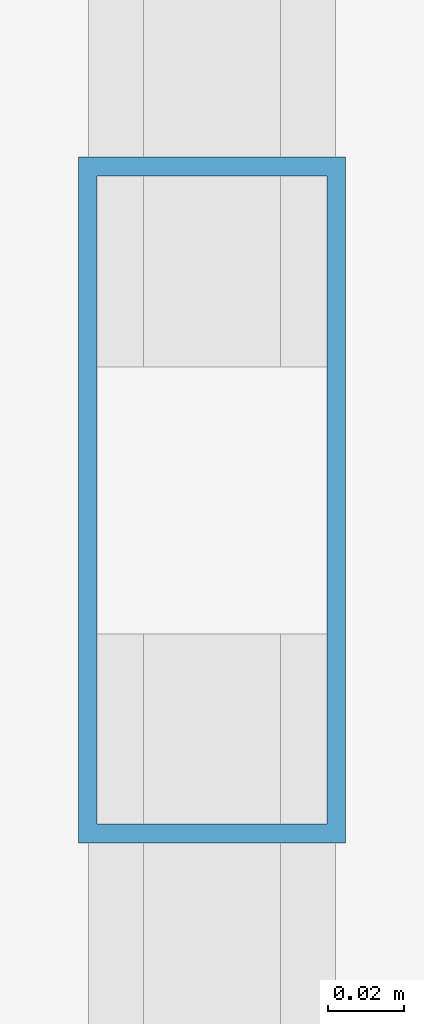
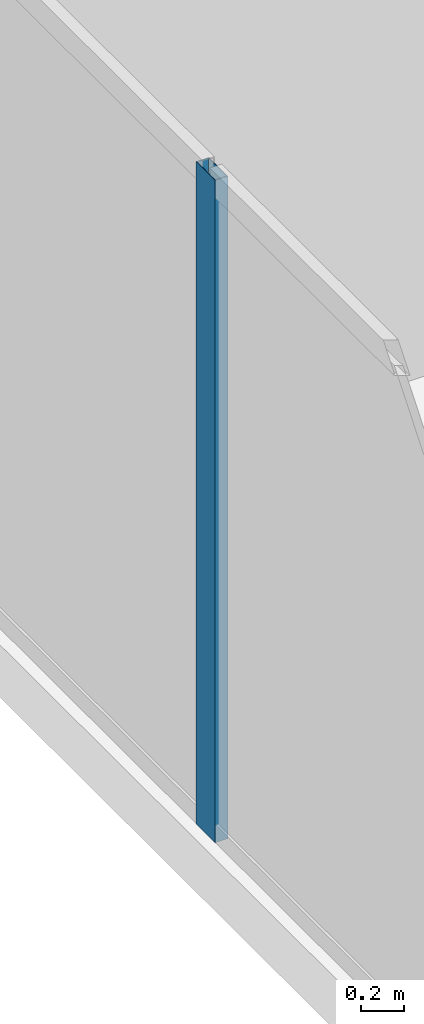
# One storey, part 9 of 33: 1 member, 1 element without a shape of its own.
"""IFC4 building model written with IfcOpenShell, lengths in metres."""

import ifcopenshell
import ifcopenshell.guid

model = None  # the IFC model being written
_history = None  # IfcOwnerHistory: only IFC2X3 demands one
_inside = {}  # id of a spatial element -> (the spatial element, [elements in it])
_under = {}  # id of a project, library or spatial element -> (it, [spatial elements below it])
_declared = {}  # id of a project -> (the project, [libraries it declares])
_typed = {}  # id of a type object -> (the type object, [elements of that type])
_made_of = {}  # id of a material, layer set ... -> (it, [elements and type objects made of it])


def new_model(schema):
    """Start an empty IFC model of exactly this schema.

    Asked for "IFC4X3", IfcOpenShell would pick the latest addendum, in which some entities
    have other attributes; the version numbers below select the first issue.
    IFC2X3 requires an IfcOwnerHistory on every rooted entity: one is made here for all.
    """
    global model, _history
    if schema == "IFC4X3":
        model = ifcopenshell.file(schema_version=(4, 3, 0, 0))
    else:
        model = ifcopenshell.file(schema=schema)
    _inside.clear()
    _under.clear()
    _declared.clear()
    _typed.clear()
    _made_of.clear()
    _history = None
    if model.schema == "IFC2X3":
        org = make("IfcOrganization", Name="unknown")
        user = make(
            "IfcPersonAndOrganization",
            ThePerson=make("IfcPerson", FamilyName="unknown"),
            TheOrganization=org,
        )
        app = make(
            "IfcApplication",
            ApplicationDeveloper=org,
            Version="unknown",
            ApplicationFullName="unknown",
            ApplicationIdentifier="unknown",
        )
        _history = make(
            "IfcOwnerHistory",
            OwningUser=user,
            OwningApplication=app,
            ChangeAction="ADDED",
            CreationDate=0,
        )
    return model


def make(cls, **values):
    """One entity of the class cls with the attributes given. An attribute that is None is left unset."""
    return model.create_entity(
        cls, **{name: value for name, value in values.items() if value is not None}
    )


def rooted(cls, **values):
    """An entity with a GlobalId (a new one), such as an element, a storey or a relation."""
    return make(cls, GlobalId=ifcopenshell.guid.new(), OwnerHistory=_history, **values)


def si_unit(unit_type, name, prefix=None):
    """IfcSIUnit, for example si_unit("LENGTHUNIT", "METRE", prefix="MILLI")."""
    return make("IfcSIUnit", UnitType=unit_type, Prefix=prefix, Name=name)


def assignment(units):
    """IfcUnitAssignment: the units of a project."""
    return None if units is None else make("IfcUnitAssignment", Units=units)


def point(xyz):
    """IfcCartesianPoint."""
    return None if xyz is None else make("IfcCartesianPoint", Coordinates=xyz)


def direction(xyz):
    """IfcDirection."""
    return None if xyz is None else make("IfcDirection", DirectionRatios=xyz)


def frame(location, z_axis=None, x_axis=None):
    """IfcAxis2Placement3D, a coordinate frame: its origin and axes. An axis left out is left unset."""
    return make(
        "IfcAxis2Placement3D",
        Location=point(location),
        Axis=direction(z_axis),
        RefDirection=direction(x_axis),
    )


def frame_2d(location, x_axis=None):
    """IfcAxis2Placement2D, a coordinate frame in the plane: its origin and x axis."""
    return make(
        "IfcAxis2Placement2D", Location=point(location), RefDirection=direction(x_axis)
    )


def origin():
    """The frame at (0, 0, 0) with its axes left unset."""
    return frame((0.0, 0.0, 0.0))


def origin_2d():
    """The frame at (0, 0) in the plane with its x axis left unset."""
    return frame_2d((0.0, 0.0))


def place(relative_to, where):
    """IfcLocalPlacement: puts the frame where relative to a parent placement (None: the world)."""
    return make(
        "IfcLocalPlacement", PlacementRelTo=relative_to, RelativePlacement=where
    )


def context(
    kind, dimensions, precision=None, world=None, true_north=None, identifier=None
):
    """IfcGeometricRepresentationContext, for example the 3D "Model" context."""
    return make(
        "IfcGeometricRepresentationContext",
        ContextIdentifier=identifier,
        ContextType=kind,
        CoordinateSpaceDimension=dimensions,
        Precision=precision,
        WorldCoordinateSystem=world,
        TrueNorth=true_north,
    )


def subcontext(parent, identifier, kind, view, scale=None):
    """IfcGeometricRepresentationSubContext, for example "Body" below "Model"."""
    return make(
        "IfcGeometricRepresentationSubContext",
        ContextIdentifier=identifier,
        ContextType=kind,
        ParentContext=parent,
        TargetScale=scale,
        TargetView=view,
    )


def project(units=None, contexts=None):
    """IfcProject with its units and contexts."""
    return rooted(
        "IfcProject",
        Name="project",
        RepresentationContexts=contexts,
        UnitsInContext=assignment(units),
    )


def spatial(cls, under=None, at=None, **own):
    """A site, building, storey or space (cls), placed at a placement, below another one or the project."""
    s = rooted(cls, ObjectPlacement=at, **own)
    if under is not None:
        _under.setdefault(under.id(), (under, []))[1].append(s)
    return s


def profile(cls, at=None, kind="AREA", **sizes):
    """A parametric profile (cls). Its sizes go by their IFC names, for example OverallWidth=200.0."""
    return make(cls, ProfileType=kind, Position=at, **sizes)


def hollow_rectangle(**sizes):
    """IfcRectangleHollowProfileDef."""
    return profile("IfcRectangleHollowProfileDef", **sizes)


def extrude(swept, where, along, depth):
    """IfcExtrudedAreaSolid: the profile swept, set in the frame where, extruded along a direction by depth."""
    return make(
        "IfcExtrudedAreaSolid",
        SweptArea=swept,
        Position=where,
        ExtrudedDirection=direction(along),
        Depth=depth,
    )


def shape(context_of_items, identifier, shape_type, items):
    """IfcShapeRepresentation: the items that make up one representation, for example the "Body"."""
    return make(
        "IfcShapeRepresentation",
        ContextOfItems=context_of_items,
        RepresentationIdentifier=identifier,
        RepresentationType=shape_type,
        Items=items,
    )


def source(mapping_origin, context_of_items, identifier, shape_type, items):
    """IfcRepresentationMap: a shape defined once, which mapped items show again and again."""
    return make(
        "IfcRepresentationMap",
        MappingOrigin=mapping_origin,
        MappedRepresentation=shape(context_of_items, identifier, shape_type, items),
    )


def transform(
    local_origin,
    x_axis=None,
    y_axis=None,
    z_axis=None,
    scale=None,
    scale2=None,
    scale3=None,
    uniform=True,
):
    """IfcCartesianTransformationOperator3D, or its non-uniform kind. x_axis, y_axis, z_axis: its Axis1, 2, 3."""
    if uniform:
        return make(
            "IfcCartesianTransformationOperator3D",
            Axis1=direction(x_axis),
            Axis2=direction(y_axis),
            LocalOrigin=point(local_origin),
            Scale=scale,
            Axis3=direction(z_axis),
        )
    return make(
        "IfcCartesianTransformationOperator3DnonUniform",
        Axis1=direction(x_axis),
        Axis2=direction(y_axis),
        LocalOrigin=point(local_origin),
        Scale=scale,
        Axis3=direction(z_axis),
        Scale2=scale2,
        Scale3=scale3,
    )


def mapped(mapping_source, mapping_target):
    """IfcMappedItem: shows the shape of a source again, moved by a transform."""
    return make(
        "IfcMappedItem", MappingSource=mapping_source, MappingTarget=mapping_target
    )


def material(Name=None, Category=None):
    """IfcMaterial."""
    return make("IfcMaterial", Name=Name, Category=Category)


def layer(
    of_material, thickness, ventilated=None, Name=None, Category=None, Priority=None
):
    """IfcMaterialLayer: one layer of a wall or slab, of a material (None: an air gap)."""
    return make(
        "IfcMaterialLayer",
        Material=of_material,
        LayerThickness=thickness,
        IsVentilated=ventilated,
        Name=Name,
        Category=Category,
        Priority=Priority,
    )


def layer_set(layers, Name=None):
    """IfcMaterialLayerSet."""
    return make("IfcMaterialLayerSet", MaterialLayers=layers, LayerSetName=Name)


def material_profile(
    of_material, cross_section, Name=None, Category=None, Priority=None
):
    """IfcMaterialProfile: a cross section and its material."""
    return make(
        "IfcMaterialProfile",
        Name=Name,
        Material=of_material,
        Profile=cross_section,
        Priority=Priority,
        Category=Category,
    )


def profile_set(profiles, Name=None, composite=None):
    """IfcMaterialProfileSet."""
    return make(
        "IfcMaterialProfileSet",
        Name=Name,
        MaterialProfiles=profiles,
        CompositeProfile=composite,
    )


def made_of(thing, what):
    """Note that an element or type object is made of a material, layer set ...; save() writes the relation."""
    if what is not None:
        _made_of.setdefault(what.id(), (what, []))[1].append(thing)
    return thing


def type_object(cls, material=None, **own):
    """A type object (cls), such as IfcWallType, which elements share."""
    return made_of(rooted(cls, **own), material)


def type_shapes(of_type, sources):
    """Give a type object the sources (RepresentationMaps) that its elements show as mapped items."""
    of_type.RepresentationMaps = sources


def element(
    cls,
    number,
    at=None,
    inside=None,
    cuts=None,
    type_object=None,
    material=None,
    context=None,
    identifier="Body",
    shape_type=None,
    held_by="IfcProductDefinitionShape",
    body=None,
    shapes=None,
    **own,
):
    """One element of the class cls, such as IfcWall. Its Tag is "e" and its number.

    at: its placement. inside: the storey or other place that contains it. cuts: it is an
    opening in that element (IfcRelVoidsElement). A single representation is given by context,
    identifier, shape_type and body (its items); several are given by shapes. held_by: the class
    of the entity that holds the representations. save() writes the other relations.
    """
    e = rooted(cls, Tag="e%d" % number, ObjectPlacement=at, **own)
    if body is not None:
        shapes = [shape(context, identifier, shape_type, body)]
    if shapes is not None:
        e.Representation = make(held_by, Representations=shapes)
    if inside is not None:
        _inside.setdefault(inside.id(), (inside, []))[1].append(e)
    if cuts is not None:
        rooted(
            "IfcRelVoidsElement", RelatingBuildingElement=cuts, RelatedOpeningElement=e
        )
    if type_object is not None:
        _typed.setdefault(type_object.id(), (type_object, []))[1].append(e)
    return made_of(e, material)


def aggregate(whole, parts):
    """IfcRelAggregates: a whole, such as a stair, and the parts it consists of."""
    return rooted("IfcRelAggregates", RelatingObject=whole, RelatedObjects=parts)


def save(model, path):
    """Write the relations noted so far, then the file.

    IfcRelAggregates (storeys below a building ...), IfcRelContainedInSpatialStructure (elements
    in a storey), IfcRelDefinesByType, IfcRelAssociatesMaterial and IfcRelDeclares: one each for
    every whole, place, type object, material and project.
    """
    for whole, parts in _under.values():
        aggregate(whole, parts)
    for where, things in _inside.values():
        rooted(
            "IfcRelContainedInSpatialStructure",
            RelatedElements=things,
            RelatingStructure=where,
        )
    for kind, things in _typed.values():
        rooted("IfcRelDefinesByType", RelatedObjects=things, RelatingType=kind)
    for what, things in _made_of.values():
        rooted("IfcRelAssociatesMaterial", RelatedObjects=things, RelatingMaterial=what)
    for by, libraries in _declared.values():
        rooted("IfcRelDeclares", RelatingContext=by, RelatedDefinitions=libraries)
    model.write(path)


model = new_model("IFC4")

# Units and contexts
model_context = context("Model", 3, precision=1e-05, world=origin(), true_north=direction((0.0, 1.0)))
body_context = subcontext(model_context, "Body", "Model", "MODEL_VIEW")
ifc_project = project(units=[si_unit("LENGTHUNIT", "METRE"), si_unit("AREAUNIT", "SQUARE_METRE"), si_unit("VOLUMEUNIT", "CUBIC_METRE"), si_unit("PLANEANGLEUNIT", "RADIAN"), si_unit("MASSUNIT", "GRAM", prefix="KILO")], contexts=[model_context])

# Site, building, storey
site_placement = place(None, origin())
site = spatial("IfcSite", under=ifc_project, at=site_placement, CompositionType="ELEMENT")
building_placement = place(site_placement, origin())
building = spatial("IfcBuilding", under=site, at=building_placement, Name="Haelvirn Gate Laboratories", CompositionType="ELEMENT")
storey_placement = place(building_placement, frame((0.0, 0.0, 275.199951171875)))
storey = spatial("IfcBuildingStorey", under=building, at=storey_placement, Name="L66", CompositionType="ELEMENT", Elevation=275.199951171875)

# Curtain wall, member
ifc_material_1 = material(Name="Anodised bronze unitised aluminium & triple low-E glass", Category="aluminium")
ifc_layer = layer(ifc_material_1, 0.176025390625, Name="CW-SYS-4")
ifc_layer_set = layer_set([ifc_layer], Name="Anodised bronze unitised aluminium & triple low-E glass")
curtain_wall_type = type_object("IfcCurtainWallType", Name="CW-SYS-4", PredefinedType="NOTDEFINED", material=ifc_layer_set)
curtain_wall_placement = place(storey_placement, origin())
curtain_wall = element("IfcCurtainWall", 1, at=curtain_wall_placement, inside=storey, type_object=curtain_wall_type, Name="L66 Unitised Curtain Wall CW-L66-P0-E17", PredefinedType="NOTDEFINED")
ifc_material_2 = material(Name="Extruded aluminium 6063-T6 (anodised bronze)", Category="aluminium")
ifc_material_profile = material_profile(ifc_material_2, hollow_rectangle(XDim=0.070068359375, YDim=0.179931640625, WallThickness=0.0048828125, at=origin_2d()), Name="CWM-180x70x5")
ifc_profile_set = profile_set([ifc_material_profile], Name="Extruded aluminium 6063-T6 (anodised bronze)")
member_type = type_object("IfcMemberType", Name="CWM-T180", PredefinedType="MULLION", material=ifc_profile_set)
shared_shape = source(origin(), body_context, "Body", "SweptSolid", [
    extrude(hollow_rectangle(XDim=0.070068359375, YDim=0.179931640625, WallThickness=0.0048828125, at=origin_2d()), origin(), (0.0, 0.0, 1.0), 3.800048828125),
])
type_shapes(member_type, [shared_shape])
member_placement = place(storey_placement, frame((4.10009765625, 24.300048828125, 0.0), z_axis=(0.0, 0.0, 1.0), x_axis=(1.0, 0.0, 0.0)))
member = element("IfcMember", 2, at=member_placement, type_object=member_type, Name="CW4 mullion 2", PredefinedType="MULLION", context=body_context, shape_type="MappedRepresentation", body=[
    mapped(shared_shape, transform((0.0, 0.0, 0.0), scale=1.0)),
])
aggregate(curtain_wall, [member])

save(model, "model.ifc")
